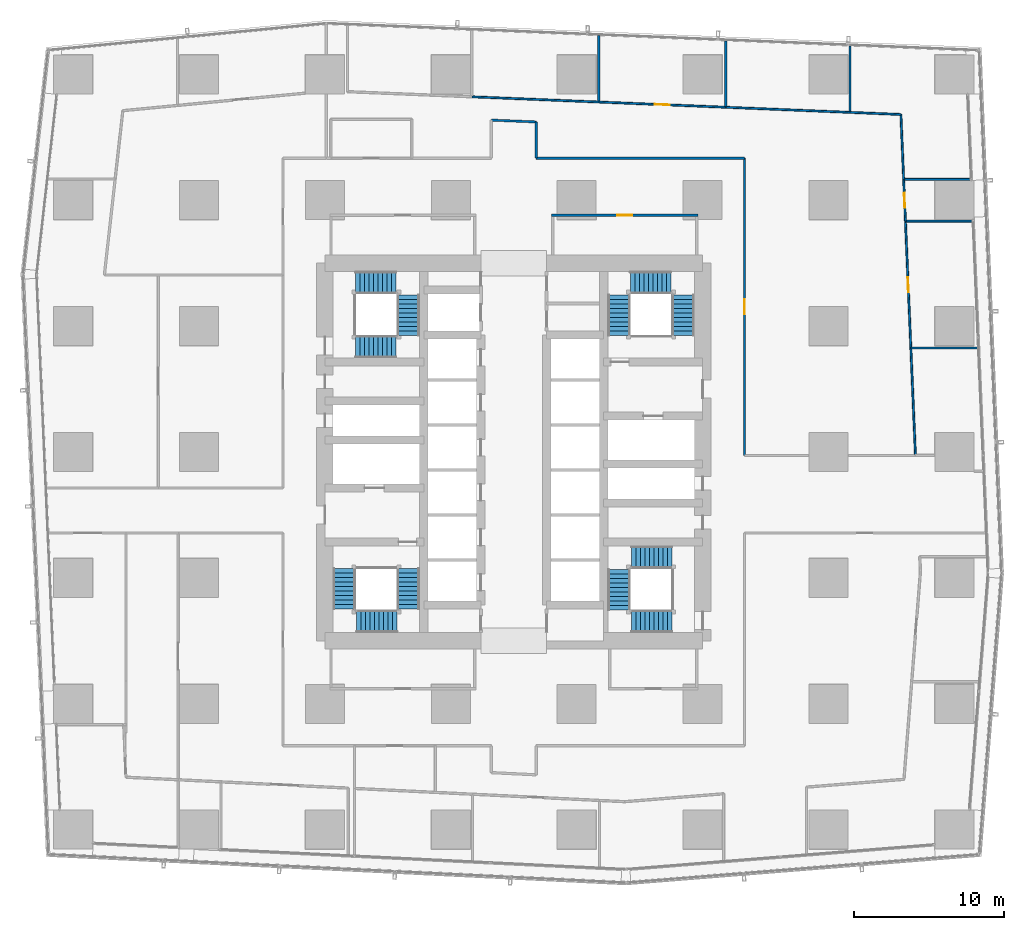
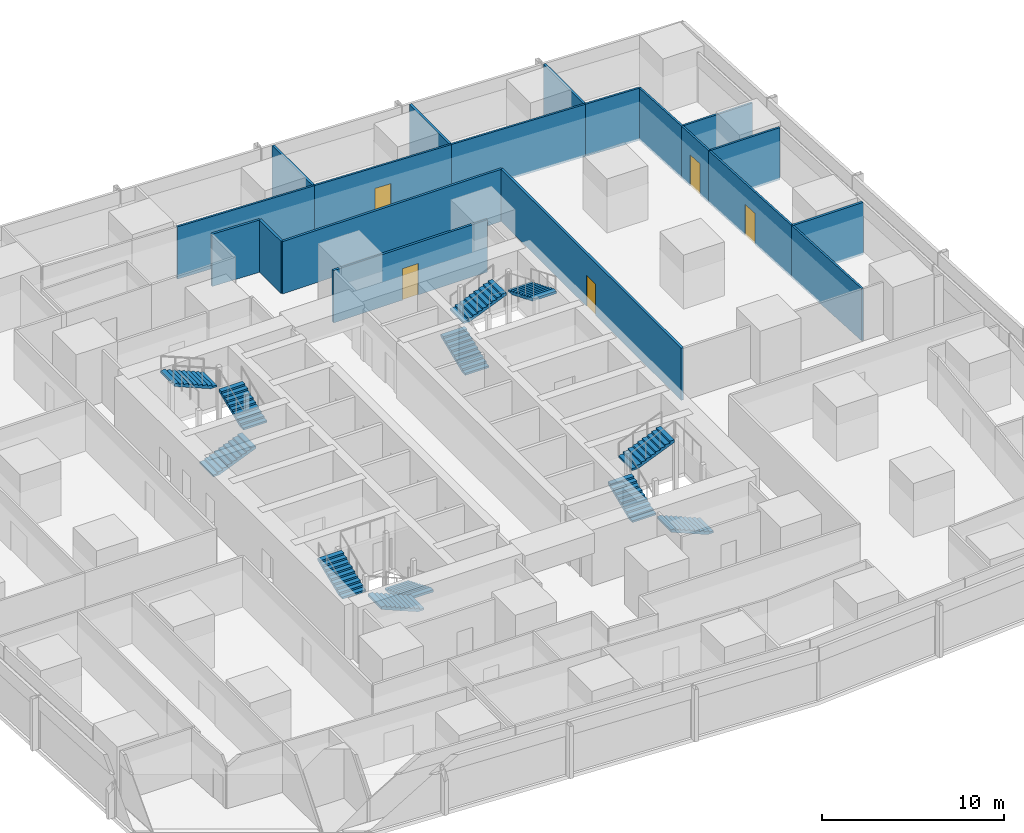
# One storey, part 37 of 46: 19 walls, 12 stair flights, 5 doors, 5 openings, 4 elements without a shape of their own.
"""IFC4 building model written with IfcOpenShell, lengths in metres."""

from ifc_helpers import new_model, si_unit, direction, frame, frame_2d, origin, place, context, subcontext, project, spatial, polyline, rectangle, outline, extrude, material, layer, layer_set, type_object, element, fill, aggregate, save


model = new_model("IFC4")

# Units and contexts
model_context = context("Model", 3, precision=1e-05, world=origin(), true_north=direction((0.0, 1.0)))
body_context = subcontext(model_context, "Body", "Model", "MODEL_VIEW")
ifc_project = project(units=[si_unit("LENGTHUNIT", "METRE"), si_unit("AREAUNIT", "SQUARE_METRE"), si_unit("VOLUMEUNIT", "CUBIC_METRE"), si_unit("PLANEANGLEUNIT", "RADIAN"), si_unit("MASSUNIT", "GRAM", prefix="KILO")], contexts=[model_context])

# Site, building, storey
site_placement = place(None, origin())
site = spatial("IfcSite", under=ifc_project, at=site_placement, CompositionType="ELEMENT")
building_placement = place(site_placement, origin())
building = spatial("IfcBuilding", under=site, at=building_placement, Name="Rekha Terrace Tower", CompositionType="ELEMENT")
storey_placement = place(building_placement, frame((0.0, 0.0, 29.14990234375)))
storey = spatial("IfcBuildingStorey", under=building, at=storey_placement, Name="L06", CompositionType="ELEMENT", Elevation=29.14990234375)

# Wall, opening, door
ifc_material_1 = material(Name="Concrete block masonry, 1 hour", Category="masonry")
ifc_layer_1 = layer(ifc_material_1, 0.14990234375)
ifc_layer_set_1 = layer_set([ifc_layer_1], Name="Concrete block masonry, 1 hour")
wall_type_1 = type_object("IfcWallType", Name="WP2 150 tenancy partition", PredefinedType="PARTITIONING", material=ifc_layer_set_1)
wall_1_placement = place(storey_placement, frame((40.324951171875, 49.39990234375, 0.0), z_axis=(0.0, 0.0, 1.0), x_axis=(1.0, 0.0, 0.0)))
wall_1 = element("IfcWall", 1, at=wall_1_placement, inside=storey, type_object=wall_type_1, Name="Women's WC wall L06", PredefinedType="PARTITIONING", context=body_context, shape_type="SweptSolid", body=[
    extrude(rectangle(XDim=9.75, YDim=0.14990234375, at=frame_2d((4.875, 0.0))), origin(), (0.0, 0.0, 1.0), 3.5),
])
opening_1_placement = place(wall_1_placement, frame((4.375, 0.0, 0.0)))
opening_1 = element("IfcOpeningElement", 2, at=opening_1_placement, cuts=wall_1, Name="Opening D3", PredefinedType="OPENING", context=body_context, shape_type="SweptSolid", body=[
    extrude(rectangle(XDim=1.0, YDim=2.10009765625, at=frame_2d((0.5, 1.050048828125))), frame((0.0, 0.0849609375, 0.0), z_axis=(0.0, -1.0, 0.0), x_axis=(1.0, 0.0, 0.0)), (0.0, 0.0, 1.0), 0.169921875),
])
ifc_material_2 = material(Name="Laminated timber fire door", Category="wood")
door_type_1 = type_object("IfcDoorType", Name="D3 1000x2100 WC door", OperationType="SINGLE_SWING_LEFT", PredefinedType="DOOR", material=ifc_material_2)
door_1_placement = place(opening_1_placement, origin())
door_1 = element("IfcDoor", 3, at=door_1_placement, inside=storey, type_object=door_type_1, Name="Door women's wc L06", OperationType="SINGLE_SWING_LEFT", OverallHeight=2.10009765625, OverallWidth=1.0, PredefinedType="DOOR", context=body_context, shape_type="SweptSolid", body=[
    extrude(rectangle(XDim=1.0, YDim=2.10009765625, at=frame_2d((0.5, 1.050048828125))), frame((0.0, 0.02490234375, 0.0), z_axis=(0.0, -1.0, 0.0), x_axis=(1.0, 0.0, 0.0)), (0.0, 0.0, 1.0), 0.050048828125),
])
fill(opening_1, door_1)

# Walls
wall_2_placement = place(storey_placement, frame((53.199951171875, 53.199951171875, 0.0), z_axis=(0.0, 0.0, 1.0), x_axis=(-1.0, 0.0, 0.0)))
element("IfcWall", 4, at=wall_2_placement, inside=storey, type_object=wall_type_1, Name="Partition L06-O2", PredefinedType="PARTITIONING", context=body_context, shape_type="SweptSolid", body=[
    extrude(rectangle(XDim=13.89990234375, YDim=0.14990234375, at=frame_2d((6.949951171875, 0.0))), origin(), (0.0, 0.0, 1.0), 3.5),
])
wall_3_placement = place(storey_placement, frame((39.300048828125, 53.199951171875, 0.0), z_axis=(0.0, 0.0, 1.0), x_axis=(0.0, 1.0, 0.0)))
element("IfcWall", 5, at=wall_3_placement, inside=storey, type_object=wall_type_1, Name="Partition L06-O2", PredefinedType="PARTITIONING", context=body_context, shape_type="SweptSolid", body=[
    extrude(rectangle(XDim=2.4189453125, YDim=0.14990234375, at=frame_2d((1.20947265625, 0.0))), origin(), (0.0, 0.0, 1.0), 3.5),
])
wall_4_placement = place(storey_placement, frame((39.300048828125, 55.618896484375, 0.0), z_axis=(0.0, 0.0, 1.0), x_axis=(-0.999146548644, 0.041305863176, 0.0)))
element("IfcWall", 6, at=wall_4_placement, inside=storey, type_object=wall_type_1, Name="Partition L06-O2", PredefinedType="PARTITIONING", context=body_context, shape_type="SweptSolid", body=[
    extrude(rectangle(XDim=3.00244140625, YDim=0.14990234375, at=frame_2d((1.501220703125, 0.0))), origin(), (0.0, 0.0, 1.0), 3.5),
])
wall_5_placement = place(storey_placement, frame((43.471923828125, 57.010986328125, 0.0), z_axis=(0.0, 0.0, 1.0), x_axis=(0.0, 1.0, 0.0)))
element("IfcWall", 7, at=wall_5_placement, inside=storey, type_object=wall_type_1, Name="Partition L06-O2", PredefinedType="PARTITIONING", context=body_context, shape_type="SweptSolid", body=[
    extrude(rectangle(XDim=4.361083984375, YDim=0.14990234375, at=frame_2d((2.1806640625, 0.0))), origin(), (0.0, 0.0, 1.0), 3.5),
])
for number, where, z_axis, x_axis, name in (
    (8, (51.945068359375, 56.662109375, 0.0), (0.0, 0.0, 1.0), (0.0, 1.0, 0.0), "Partition L06-O2"),
    (9, (60.238037109375, 56.320068359375, 0.0), (0.0, 0.0, 1.0), (0.0, 1.0, 0.0), "Partition L06-O2"),
):
    element("IfcWall", number, at=place(storey_placement, frame(where, z_axis=z_axis, x_axis=x_axis)), inside=storey, type_object=wall_type_1, Name=name, PredefinedType="PARTITIONING", context=body_context, shape_type="SweptSolid", body=[
        extrude(rectangle(XDim=4.36083984375, YDim=0.14990234375, at=frame_2d((2.180419921875, 0.0))), origin(), (0.0, 0.0, 1.0), 3.5),
    ])
wall_6_placement = place(storey_placement, frame((64.31494140625, 40.535888671875, 0.0), z_axis=(0.0, 0.0, 1.0), x_axis=(1.0, 0.0, 0.0)))
element("IfcWall", 10, at=wall_6_placement, inside=storey, type_object=wall_type_1, Name="Partition L06-O2", PredefinedType="PARTITIONING", context=body_context, shape_type="SweptSolid", body=[
    extrude(rectangle(XDim=4.43115234375, YDim=0.14990234375, at=frame_2d((2.215576171875, 0.0))), origin(), (0.0, 0.0, 1.0), 3.5),
])

# Wall, opening, door
wall_7_placement = place(storey_placement, frame((53.199951171875, 33.3720703125, 0.0), z_axis=(0.0, 0.0, 1.0), x_axis=(0.0, 1.0, 0.0)))
wall_7 = element("IfcWall", 11, at=wall_7_placement, inside=storey, type_object=wall_type_1, Name="Partition L06-O2", PredefinedType="PARTITIONING", context=body_context, shape_type="SweptSolid", body=[
    extrude(rectangle(XDim=19.827880859375, YDim=0.14990234375, at=frame_2d((9.9140625, 0.0))), origin(), (0.0, 0.0, 1.0), 3.5),
])
opening_2_placement = place(wall_7_placement, frame((9.4140625, 0.0, 0.0)))
opening_2 = element("IfcOpeningElement", 12, at=opening_2_placement, cuts=wall_7, Name="Opening D9", PredefinedType="OPENING", context=body_context, shape_type="SweptSolid", body=[
    extrude(rectangle(XDim=1.0, YDim=2.10009765625, at=frame_2d((0.5, 1.050048828125))), frame((0.0, 0.0849609375, 0.0), z_axis=(0.0, -1.0, 0.0), x_axis=(1.0, 0.0, 0.0)), (0.0, 0.0, 1.0), 0.169921875),
])
ifc_material_3 = material(Name="Timber fire door", Category="wood")
door_type_2 = type_object("IfcDoorType", Name="D9 1000x2100 office door", OperationType="SINGLE_SWING_LEFT", PredefinedType="DOOR", material=ifc_material_3)
door_2_placement = place(opening_2_placement, origin())
door_2 = element("IfcDoor", 13, at=door_2_placement, inside=storey, type_object=door_type_2, Name="Door open-plan office L06", OperationType="SINGLE_SWING_LEFT", OverallHeight=2.10009765625, OverallWidth=1.0, PredefinedType="DOOR", context=body_context, shape_type="SweptSolid", body=[
    extrude(rectangle(XDim=1.0, YDim=2.10009765625, at=frame_2d((0.5, 1.050048828125))), frame((0.0, 0.02490234375, 0.0), z_axis=(0.0, -1.0, 0.0), x_axis=(1.0, 0.0, 0.0)), (0.0, 0.0, 1.0), 0.050048828125),
])
fill(opening_2, door_2)

# Walls
ifc_material_4 = material(Name="Two layers of fire-rated gypsum board each side on steel studs, acoustic quilt, 1 hour", Category="steel")
ifc_layer_2 = layer(ifc_material_4, 0.125)
ifc_layer_set_2 = layer_set([ifc_layer_2], Name="Two layers of fire-rated gypsum board each side on steel studs, acoustic quilt, 1 hour")
wall_type_2 = type_object("IfcWallType", Name="WP3 125 office partition", PredefinedType="PARTITIONING", material=ifc_layer_set_2)
wall_8_placement = place(storey_placement, frame((63.930908203125, 49.001953125, 0.0), z_axis=(0.0, 0.0, 1.0), x_axis=(1.0, 0.0, 0.0)))
element("IfcWall", 14, at=wall_8_placement, inside=storey, type_object=wall_type_2, Name="Partition L06-05", PredefinedType="PARTITIONING", context=body_context, shape_type="SweptSolid", body=[
    extrude(rectangle(XDim=4.424072265625, YDim=0.125, at=frame_2d((2.2119140625, 0.0))), origin(), (0.0, 0.0, 1.0), 3.5),
])
wall_9_placement = place(storey_placement, frame((64.597900390625, 33.3720703125, 0.0), z_axis=(0.0, 0.0, 1.0), x_axis=(-0.042668763755, 0.999089273589, 0.0)))
element("IfcWall", 15, at=wall_9_placement, inside=storey, type_object=wall_type_2, Name="Partition L06-05", PredefinedType="PARTITIONING", context=body_context, shape_type="SweptSolid", body=[
    extrude(rectangle(XDim=7.16943359375, YDim=0.125, at=frame_2d((3.584716796875, 0.0))), origin(), (0.0, 0.0, 1.0), 3.5),
])

# Wall, opening, door
wall_10_placement = place(storey_placement, frame((64.2919921875, 40.534912109375, 0.0), z_axis=(0.0, 0.0, 1.0), x_axis=(-0.042607102668, 0.999091905083, 0.0)))
wall_10 = element("IfcWall", 16, at=wall_10_placement, inside=storey, type_object=wall_type_2, Name="Partition L06-05", PredefinedType="PARTITIONING", context=body_context, shape_type="SweptSolid", body=[
    extrude(rectangle(XDim=8.474853515625, YDim=0.125, at=frame_2d((4.2373046875, 0.0))), origin(), (0.0, 0.0, 1.0), 3.5),
])
opening_3_placement = place(wall_10_placement, frame((3.737060546875, 0.0, 0.0)))
opening_3 = element("IfcOpeningElement", 17, at=opening_3_placement, cuts=wall_10, Name="Opening D9", PredefinedType="OPENING", context=body_context, shape_type="SweptSolid", body=[
    extrude(rectangle(XDim=1.0, YDim=2.10009765625, at=frame_2d((0.5, 1.050048828125))), frame((0.0, 0.072509765625, 0.0), z_axis=(0.0, -1.0, 0.0), x_axis=(1.0, 0.0, 0.0)), (0.0, 0.0, 1.0), 0.14501953125),
])
door_3_placement = place(opening_3_placement, origin())
door_3 = element("IfcDoor", 18, at=door_3_placement, inside=storey, type_object=door_type_2, Name="Door office L06", OperationType="SINGLE_SWING_LEFT", OverallHeight=2.10009765625, OverallWidth=1.0, PredefinedType="DOOR", context=body_context, shape_type="SweptSolid", body=[
    extrude(rectangle(XDim=1.0, YDim=2.10009765625, at=frame_2d((0.5, 1.050048828125))), frame((0.0, 0.02490234375, 0.0), z_axis=(0.0, -1.0, 0.0), x_axis=(1.0, 0.0, 0.0)), (0.0, 0.0, 1.0), 0.050048828125),
])
fill(opening_3, door_3)

wall_11_placement = place(storey_placement, frame((63.930908203125, 49.0029296875, 0.0), z_axis=(0.0, 0.0, 1.0), x_axis=(-0.042791308653, 0.999084032454, 0.0)))
wall_11 = element("IfcWall", 19, at=wall_11_placement, inside=storey, type_object=wall_type_2, Name="Partition L06-06", PredefinedType="PARTITIONING", context=body_context, shape_type="SweptSolid", body=[
    extrude(rectangle(XDim=2.755615234375, YDim=0.125, at=frame_2d((1.3779296875, 0.0))), origin(), (0.0, 0.0, 1.0), 3.5),
])
opening_4_placement = place(wall_11_placement, frame((0.8779296875, 0.0, 0.0)))
opening_4 = element("IfcOpeningElement", 20, at=opening_4_placement, cuts=wall_11, Name="Opening D9", PredefinedType="OPENING", context=body_context, shape_type="SweptSolid", body=[
    extrude(rectangle(XDim=1.0, YDim=2.10009765625, at=frame_2d((0.5, 1.050048828125))), frame((0.0, 0.072509765625, 0.0), z_axis=(0.0, -1.0, 0.0), x_axis=(1.0, 0.0, 0.0)), (0.0, 0.0, 1.0), 0.14501953125),
])
door_4_placement = place(opening_4_placement, origin())
door_4 = element("IfcDoor", 21, at=door_4_placement, inside=storey, type_object=door_type_2, Name="Door office L06", OperationType="SINGLE_SWING_LEFT", OverallHeight=2.10009765625, OverallWidth=1.0, PredefinedType="DOOR", context=body_context, shape_type="SweptSolid", body=[
    extrude(rectangle(XDim=1.0, YDim=2.10009765625, at=frame_2d((0.5, 1.050048828125))), frame((0.0, 0.02490234375, 0.0), z_axis=(0.0, -1.0, 0.0), x_axis=(1.0, 0.0, 0.0)), (0.0, 0.0, 1.0), 0.050048828125),
])
fill(opening_4, door_4)

# Walls
wall_12_placement = place(storey_placement, frame((63.8740234375, 51.7919921875, 0.0), z_axis=(0.0, 0.0, 1.0), x_axis=(1.0, 0.0, 0.0)))
element("IfcWall", 22, at=wall_12_placement, inside=storey, type_object=wall_type_2, Name="Partition L06-06", PredefinedType="PARTITIONING", context=body_context, shape_type="SweptSolid", body=[
    extrude(rectangle(XDim=4.361083984375, YDim=0.125, at=frame_2d((2.1806640625, 0.0))), origin(), (0.0, 0.0, 1.0), 3.5),
])
wall_13_placement = place(storey_placement, frame((63.81298828125, 51.757080078125, 0.0), z_axis=(0.0, 0.0, 1.0), x_axis=(-0.042631159687, 0.999090878861, 0.0)))
element("IfcWall", 23, at=wall_13_placement, inside=storey, type_object=wall_type_2, Name="Partition L06-07", PredefinedType="PARTITIONING", context=body_context, shape_type="SweptSolid", body=[
    extrude(rectangle(XDim=4.36376953125, YDim=0.125, at=frame_2d((2.181884765625, 0.0))), origin(), (0.0, 0.0, 1.0), 3.5),
])
wall_14_placement = place(storey_placement, frame((63.626953125, 56.116943359375, 0.0), z_axis=(0.0, 0.0, 1.0), x_axis=(-0.999145138327, 0.041339963195, 0.0)))
element("IfcWall", 24, at=wall_14_placement, inside=storey, type_object=wall_type_2, Name="Partition L06-07", PredefinedType="PARTITIONING", context=body_context, shape_type="SweptSolid", body=[
    extrude(rectangle(XDim=3.389892578125, YDim=0.125, at=frame_2d((1.69482421875, 0.0))), origin(), (0.0, 0.0, 1.0), 3.5),
])
wall_15_placement = place(storey_placement, frame((60.239990234375, 56.257080078125, 0.0), z_axis=(0.0, 0.0, 1.0), x_axis=(-0.999150520973, 0.041209664387, 0.0)))
element("IfcWall", 25, at=wall_15_placement, inside=storey, type_object=wall_type_2, Name="Partition L06-07", PredefinedType="PARTITIONING", context=body_context, shape_type="SweptSolid", body=[
    extrude(rectangle(XDim=8.300048828125, YDim=0.125, at=frame_2d((4.14990234375, 0.0))), origin(), (0.0, 0.0, 1.0), 3.5),
])

# Wall, opening, door
wall_16_placement = place(storey_placement, frame((51.947021484375, 56.59912109375, 0.0), z_axis=(0.0, 0.0, 1.0), x_axis=(-0.999153360444, 0.041140762198, 0.0)))
wall_16 = element("IfcWall", 26, at=wall_16_placement, inside=storey, type_object=wall_type_2, Name="Partition L06-07", PredefinedType="PARTITIONING", context=body_context, shape_type="SweptSolid", body=[
    extrude(rectangle(XDim=8.47998046875, YDim=0.125, at=frame_2d((4.239990234375, 0.0))), origin(), (0.0, 0.0, 1.0), 3.5),
])
opening_5_placement = place(wall_16_placement, frame((3.739990234375, 0.0, 0.0)))
opening_5 = element("IfcOpeningElement", 27, at=opening_5_placement, cuts=wall_16, Name="Opening D9", PredefinedType="OPENING", context=body_context, shape_type="SweptSolid", body=[
    extrude(rectangle(XDim=1.0, YDim=2.10009765625, at=frame_2d((0.5, 1.050048828125))), frame((0.0, 0.072509765625, 0.0), z_axis=(0.0, -1.0, 0.0), x_axis=(1.0, 0.0, 0.0)), (0.0, 0.0, 1.0), 0.14501953125),
])
door_5_placement = place(opening_5_placement, origin())
door_5 = element("IfcDoor", 28, at=door_5_placement, inside=storey, type_object=door_type_2, Name="Door manager's office L06", OperationType="SINGLE_SWING_LEFT", OverallHeight=2.10009765625, OverallWidth=1.0, PredefinedType="DOOR", context=body_context, shape_type="SweptSolid", body=[
    extrude(rectangle(XDim=1.0, YDim=2.10009765625, at=frame_2d((0.5, 1.050048828125))), frame((0.0, 0.02490234375, 0.0), z_axis=(0.0, -1.0, 0.0), x_axis=(1.0, 0.0, 0.0)), (0.0, 0.0, 1.0), 0.050048828125),
])
fill(opening_5, door_5)

# Wall
wall_17_placement = place(storey_placement, frame((43.47412109375, 56.947998046875, 0.0), z_axis=(0.0, 0.0, 1.0), x_axis=(-0.999152030187, 0.041173056399, 0.0)))
element("IfcWall", 29, at=wall_17_placement, inside=storey, type_object=wall_type_2, Name="Partition L06-07", PredefinedType="PARTITIONING", context=body_context, shape_type="SweptSolid", body=[
    extrude(rectangle(XDim=8.479248046875, YDim=0.125, at=frame_2d((4.23974609375, 0.0))), origin(), (0.0, 0.0, 1.0), 3.5),
])

# Stair, stair flights
ifc_material_5 = material(Name="Concrete M40", Category="concrete")
stair_type = type_object("IfcStairType", Name="ST30 stair, 30 risers of 125, going 300, 1500 wide flights, 3 flights", PredefinedType="HALF_TURN_STAIR", material=ifc_material_5)
stair_1_placement = place(storey_placement, origin())
stair_1 = element("IfcStair", 30, at=stair_1_placement, inside=storey, type_object=stair_type, Name="Stair ST1 L06 to L07", PredefinedType="HALF_TURN_STAIR")
stair_flight_type = type_object("IfcStairFlightType", Name="SF10 stair flight, 10 risers of 125, going 300, 1500 wide", PredefinedType="STRAIGHT", material=ifc_material_5)
stair_flight_1_placement = place(storey_placement, frame((30.77490234375, 25.824951171875, 0.0), z_axis=(0.0, 0.0, 1.0), x_axis=(0.0, -1.0, 0.0)))
stair_flight_1 = element("IfcStairFlight", 31, at=stair_flight_1_placement, type_object=stair_flight_type, Name="ST1 flight 1", NumberOfRisers=10, NumberOfTreads=9, PredefinedType="STRAIGHT", RiserHeight=0.125, TreadLength=0.3, context=body_context, shape_type="SweptSolid", body=[
    extrude(outline(polyline([(0.0, 0.0), (0.0, 0.125), (0.300048828125, 0.125), (0.300048828125, 0.25), (0.60009765625, 0.25), (0.60009765625, 0.375), (0.89990234375, 0.375), (0.89990234375, 0.5), (1.199951171875, 0.5), (1.199951171875, 0.625), (1.5, 0.625), (1.5, 0.75), (1.800048828125, 0.75), (1.800048828125, 0.875), (2.10009765625, 0.875), (2.10009765625, 1.0), (2.39990234375, 1.0), (2.39990234375, 1.125), (2.699951171875, 1.125), (2.699951171875, 1.25), (2.699951171875, 0.962646484375), (0.3896484375, 0.0), (0.0, 0.0)])), frame((0.0, 0.75, 0.0), z_axis=(0.0, -1.0, 0.0), x_axis=(1.0, 0.0, 0.0)), (0.0, 0.0, 1.0), 1.5),
])
stair_flight_2_placement = place(storey_placement, frame((30.02490234375, 22.300048828125, 1.25), z_axis=(0.0, 0.0, 1.0), x_axis=(-1.0, 0.0, 0.0)))
stair_flight_2 = element("IfcStairFlight", 32, at=stair_flight_2_placement, type_object=stair_flight_type, Name="ST1 flight 2", NumberOfRisers=10, NumberOfTreads=9, PredefinedType="STRAIGHT", RiserHeight=0.125, TreadLength=0.3, context=body_context, shape_type="SweptSolid", body=[
    extrude(outline(polyline([(0.0, 0.0), (0.0, 0.125), (0.300048828125, 0.125), (0.300048828125, 0.25), (0.60009765625, 0.25), (0.60009765625, 0.375), (0.89990234375, 0.375), (0.89990234375, 0.5), (1.199951171875, 0.5), (1.199951171875, 0.625), (1.5, 0.625), (1.5, 0.75), (1.800048828125, 0.75), (1.800048828125, 0.875), (2.10009765625, 0.875), (2.10009765625, 1.0), (2.39990234375, 1.0), (2.39990234375, 1.125), (2.699951171875, 1.125), (2.699951171875, 1.25), (2.699951171875, 0.962646484375), (0.3896484375, 0.0), (0.0, 0.0)])), frame((0.0, 0.75, 0.0), z_axis=(0.0, -1.0, 0.0), x_axis=(1.0, 0.0, 0.0)), (0.0, 0.0, 1.0), 1.5),
])
stair_flight_3_placement = place(storey_placement, frame((26.5, 23.125, 2.5), z_axis=(0.0, 0.0, 1.0), x_axis=(0.0, 1.0, 0.0)))
stair_flight_3 = element("IfcStairFlight", 33, at=stair_flight_3_placement, type_object=stair_flight_type, Name="ST1 flight 3", NumberOfRisers=10, NumberOfTreads=9, PredefinedType="STRAIGHT", RiserHeight=0.125, TreadLength=0.3, context=body_context, shape_type="SweptSolid", body=[
    extrude(outline(polyline([(0.0, 0.0), (0.0, 0.125), (0.300048828125, 0.125), (0.300048828125, 0.25), (0.60009765625, 0.25), (0.60009765625, 0.375), (0.89990234375, 0.375), (0.89990234375, 0.5), (1.199951171875, 0.5), (1.199951171875, 0.625), (1.5, 0.625), (1.5, 0.75), (1.800048828125, 0.75), (1.800048828125, 0.875), (2.10009765625, 0.875), (2.10009765625, 1.0), (2.39990234375, 1.0), (2.39990234375, 1.125), (2.699951171875, 1.125), (2.699951171875, 1.25), (2.699951171875, 0.962646484375), (0.3896484375, 0.0), (0.0, 0.0)])), frame((0.0, 0.75, 0.0), z_axis=(0.0, -1.0, 0.0), x_axis=(1.0, 0.0, 0.0)), (0.0, 0.0, 1.0), 1.5),
])
aggregate(stair_1, [stair_flight_1, stair_flight_2, stair_flight_3])

stair_2_placement = place(storey_placement, origin())
stair_2 = element("IfcStair", 34, at=stair_2_placement, inside=storey, type_object=stair_type, Name="Stair ST2 L06 to L07", PredefinedType="HALF_TURN_STAIR")
stair_flight_4_placement = place(storey_placement, frame((44.824951171875, 41.375, 0.0), z_axis=(0.0, 0.0, 1.0), x_axis=(0.0, 1.0, 0.0)))
stair_flight_4 = element("IfcStairFlight", 35, at=stair_flight_4_placement, type_object=stair_flight_type, Name="ST2 flight 1", NumberOfRisers=10, NumberOfTreads=9, PredefinedType="STRAIGHT", RiserHeight=0.125, TreadLength=0.3, context=body_context, shape_type="SweptSolid", body=[
    extrude(outline(polyline([(0.0, 0.0), (0.0, 0.125), (0.300048828125, 0.125), (0.300048828125, 0.25), (0.60009765625, 0.25), (0.60009765625, 0.375), (0.89990234375, 0.375), (0.89990234375, 0.5), (1.199951171875, 0.5), (1.199951171875, 0.625), (1.5, 0.625), (1.5, 0.75), (1.800048828125, 0.75), (1.800048828125, 0.875), (2.10009765625, 0.875), (2.10009765625, 1.0), (2.39990234375, 1.0), (2.39990234375, 1.125), (2.699951171875, 1.125), (2.699951171875, 1.25), (2.699951171875, 0.962646484375), (0.3896484375, 0.0), (0.0, 0.0)])), frame((0.0, 0.75, 0.0), z_axis=(0.0, -1.0, 0.0), x_axis=(1.0, 0.0, 0.0)), (0.0, 0.0, 1.0), 1.5),
])
stair_flight_5_placement = place(storey_placement, frame((45.574951171875, 44.89990234375, 1.25), z_axis=(0.0, 0.0, 1.0), x_axis=(1.0, 0.0, 0.0)))
stair_flight_5 = element("IfcStairFlight", 36, at=stair_flight_5_placement, type_object=stair_flight_type, Name="ST2 flight 2", NumberOfRisers=10, NumberOfTreads=9, PredefinedType="STRAIGHT", RiserHeight=0.125, TreadLength=0.3, context=body_context, shape_type="SweptSolid", body=[
    extrude(outline(polyline([(0.0, 0.0), (0.0, 0.125), (0.300048828125, 0.125), (0.300048828125, 0.25), (0.60009765625, 0.25), (0.60009765625, 0.375), (0.89990234375, 0.375), (0.89990234375, 0.5), (1.199951171875, 0.5), (1.199951171875, 0.625), (1.5, 0.625), (1.5, 0.75), (1.800048828125, 0.75), (1.800048828125, 0.875), (2.10009765625, 0.875), (2.10009765625, 1.0), (2.39990234375, 1.0), (2.39990234375, 1.125), (2.699951171875, 1.125), (2.699951171875, 1.25), (2.699951171875, 0.962646484375), (0.3896484375, 0.0), (0.0, 0.0)])), frame((0.0, 0.75, 0.0), z_axis=(0.0, -1.0, 0.0), x_axis=(1.0, 0.0, 0.0)), (0.0, 0.0, 1.0), 1.5),
])
stair_flight_6_placement = place(storey_placement, frame((49.10009765625, 44.074951171875, 2.5), z_axis=(0.0, 0.0, 1.0), x_axis=(0.0, -1.0, 0.0)))
stair_flight_6 = element("IfcStairFlight", 37, at=stair_flight_6_placement, type_object=stair_flight_type, Name="ST2 flight 3", NumberOfRisers=10, NumberOfTreads=9, PredefinedType="STRAIGHT", RiserHeight=0.125, TreadLength=0.3, context=body_context, shape_type="SweptSolid", body=[
    extrude(outline(polyline([(0.0, 0.0), (0.0, 0.125), (0.300048828125, 0.125), (0.300048828125, 0.25), (0.60009765625, 0.25), (0.60009765625, 0.375), (0.89990234375, 0.375), (0.89990234375, 0.5), (1.199951171875, 0.5), (1.199951171875, 0.625), (1.5, 0.625), (1.5, 0.75), (1.800048828125, 0.75), (1.800048828125, 0.875), (2.10009765625, 0.875), (2.10009765625, 1.0), (2.39990234375, 1.0), (2.39990234375, 1.125), (2.699951171875, 1.125), (2.699951171875, 1.25), (2.699951171875, 0.962646484375), (0.3896484375, 0.0), (0.0, 0.0)])), frame((0.0, 0.75, 0.0), z_axis=(0.0, -1.0, 0.0), x_axis=(1.0, 0.0, 0.0)), (0.0, 0.0, 1.0), 1.5),
])
aggregate(stair_2, [stair_flight_4, stair_flight_5, stair_flight_6])

stair_3_placement = place(storey_placement, origin())
stair_3 = element("IfcStair", 38, at=stair_3_placement, inside=storey, type_object=stair_type, Name="Stair ST3 L06 to L07", PredefinedType="HALF_TURN_STAIR")
stair_flight_7_placement = place(storey_placement, frame((48.35009765625, 22.300048828125, 0.0), z_axis=(0.0, 0.0, 1.0), x_axis=(-1.0, 0.0, 0.0)))
stair_flight_7 = element("IfcStairFlight", 39, at=stair_flight_7_placement, type_object=stair_flight_type, Name="ST3 flight 1", NumberOfRisers=10, NumberOfTreads=9, PredefinedType="STRAIGHT", RiserHeight=0.125, TreadLength=0.3, context=body_context, shape_type="SweptSolid", body=[
    extrude(outline(polyline([(0.0, 0.0), (0.0, 0.125), (0.300048828125, 0.125), (0.300048828125, 0.25), (0.60009765625, 0.25), (0.60009765625, 0.375), (0.89990234375, 0.375), (0.89990234375, 0.5), (1.199951171875, 0.5), (1.199951171875, 0.625), (1.5, 0.625), (1.5, 0.75), (1.800048828125, 0.75), (1.800048828125, 0.875), (2.10009765625, 0.875), (2.10009765625, 1.0), (2.39990234375, 1.0), (2.39990234375, 1.125), (2.699951171875, 1.125), (2.699951171875, 1.25), (2.699951171875, 0.962646484375), (0.3896484375, 0.0), (0.0, 0.0)])), frame((0.0, 0.75, 0.0), z_axis=(0.0, -1.0, 0.0), x_axis=(1.0, 0.0, 0.0)), (0.0, 0.0, 1.0), 1.5),
])
stair_flight_8_placement = place(storey_placement, frame((44.824951171875, 23.050048828125, 1.25), z_axis=(0.0, 0.0, 1.0), x_axis=(0.0, 1.0, 0.0)))
stair_flight_8 = element("IfcStairFlight", 40, at=stair_flight_8_placement, type_object=stair_flight_type, Name="ST3 flight 2", NumberOfRisers=10, NumberOfTreads=9, PredefinedType="STRAIGHT", RiserHeight=0.125, TreadLength=0.3, context=body_context, shape_type="SweptSolid", body=[
    extrude(outline(polyline([(0.0, 0.0), (0.0, 0.125), (0.300048828125, 0.125), (0.300048828125, 0.25), (0.60009765625, 0.25), (0.60009765625, 0.375), (0.89990234375, 0.375), (0.89990234375, 0.5), (1.199951171875, 0.5), (1.199951171875, 0.625), (1.5, 0.625), (1.5, 0.75), (1.800048828125, 0.75), (1.800048828125, 0.875), (2.10009765625, 0.875), (2.10009765625, 1.0), (2.39990234375, 1.0), (2.39990234375, 1.125), (2.699951171875, 1.125), (2.699951171875, 1.25), (2.699951171875, 0.962646484375), (0.3896484375, 0.0), (0.0, 0.0)])), frame((0.0, 0.75, 0.0), z_axis=(0.0, -1.0, 0.0), x_axis=(1.0, 0.0, 0.0)), (0.0, 0.0, 1.0), 1.5),
])
stair_flight_9_placement = place(storey_placement, frame((45.64990234375, 26.574951171875, 2.5), z_axis=(0.0, 0.0, 1.0), x_axis=(1.0, 0.0, 0.0)))
stair_flight_9 = element("IfcStairFlight", 41, at=stair_flight_9_placement, type_object=stair_flight_type, Name="ST3 flight 3", NumberOfRisers=10, NumberOfTreads=9, PredefinedType="STRAIGHT", RiserHeight=0.125, TreadLength=0.3, context=body_context, shape_type="SweptSolid", body=[
    extrude(outline(polyline([(0.0, 0.0), (0.0, 0.125), (0.300048828125, 0.125), (0.300048828125, 0.25), (0.60009765625, 0.25), (0.60009765625, 0.375), (0.89990234375, 0.375), (0.89990234375, 0.5), (1.199951171875, 0.5), (1.199951171875, 0.625), (1.5, 0.625), (1.5, 0.75), (1.800048828125, 0.75), (1.800048828125, 0.875), (2.10009765625, 0.875), (2.10009765625, 1.0), (2.39990234375, 1.0), (2.39990234375, 1.125), (2.699951171875, 1.125), (2.699951171875, 1.25), (2.699951171875, 0.962646484375), (0.3896484375, 0.0), (0.0, 0.0)])), frame((0.0, 0.75, 0.0), z_axis=(0.0, -1.0, 0.0), x_axis=(1.0, 0.0, 0.0)), (0.0, 0.0, 1.0), 1.5),
])
aggregate(stair_3, [stair_flight_7, stair_flight_8, stair_flight_9])

stair_4_placement = place(storey_placement, origin())
stair_4 = element("IfcStair", 42, at=stair_4_placement, inside=storey, type_object=stair_type, Name="Stair ST4 L06 to L07", PredefinedType="HALF_TURN_STAIR")
stair_flight_10_placement = place(storey_placement, frame((27.25, 40.625, 0.0), z_axis=(0.0, 0.0, 1.0), x_axis=(1.0, 0.0, 0.0)))
stair_flight_10 = element("IfcStairFlight", 43, at=stair_flight_10_placement, type_object=stair_flight_type, Name="ST4 flight 1", NumberOfRisers=10, NumberOfTreads=9, PredefinedType="STRAIGHT", RiserHeight=0.125, TreadLength=0.3, context=body_context, shape_type="SweptSolid", body=[
    extrude(outline(polyline([(0.0, 0.0), (0.0, 0.125), (0.300048828125, 0.125), (0.300048828125, 0.25), (0.60009765625, 0.25), (0.60009765625, 0.375), (0.89990234375, 0.375), (0.89990234375, 0.5), (1.199951171875, 0.5), (1.199951171875, 0.625), (1.5, 0.625), (1.5, 0.75), (1.800048828125, 0.75), (1.800048828125, 0.875), (2.10009765625, 0.875), (2.10009765625, 1.0), (2.39990234375, 1.0), (2.39990234375, 1.125), (2.699951171875, 1.125), (2.699951171875, 1.25), (2.699951171875, 0.962646484375), (0.3896484375, 0.0), (0.0, 0.0)])), frame((0.0, 0.75, 0.0), z_axis=(0.0, -1.0, 0.0), x_axis=(1.0, 0.0, 0.0)), (0.0, 0.0, 1.0), 1.5),
])
stair_flight_11_placement = place(storey_placement, frame((30.77490234375, 41.375, 1.25), z_axis=(0.0, 0.0, 1.0), x_axis=(0.0, 1.0, 0.0)))
stair_flight_11 = element("IfcStairFlight", 44, at=stair_flight_11_placement, type_object=stair_flight_type, Name="ST4 flight 2", NumberOfRisers=10, NumberOfTreads=9, PredefinedType="STRAIGHT", RiserHeight=0.125, TreadLength=0.3, context=body_context, shape_type="SweptSolid", body=[
    extrude(outline(polyline([(0.0, 0.0), (0.0, 0.125), (0.300048828125, 0.125), (0.300048828125, 0.25), (0.60009765625, 0.25), (0.60009765625, 0.375), (0.89990234375, 0.375), (0.89990234375, 0.5), (1.199951171875, 0.5), (1.199951171875, 0.625), (1.5, 0.625), (1.5, 0.75), (1.800048828125, 0.75), (1.800048828125, 0.875), (2.10009765625, 0.875), (2.10009765625, 1.0), (2.39990234375, 1.0), (2.39990234375, 1.125), (2.699951171875, 1.125), (2.699951171875, 1.25), (2.699951171875, 0.962646484375), (0.3896484375, 0.0), (0.0, 0.0)])), frame((0.0, 0.75, 0.0), z_axis=(0.0, -1.0, 0.0), x_axis=(1.0, 0.0, 0.0)), (0.0, 0.0, 1.0), 1.5),
])
stair_flight_12_placement = place(storey_placement, frame((29.949951171875, 44.89990234375, 2.5), z_axis=(0.0, 0.0, 1.0), x_axis=(-1.0, 0.0, 0.0)))
stair_flight_12 = element("IfcStairFlight", 45, at=stair_flight_12_placement, type_object=stair_flight_type, Name="ST4 flight 3", NumberOfRisers=10, NumberOfTreads=9, PredefinedType="STRAIGHT", RiserHeight=0.125, TreadLength=0.3, context=body_context, shape_type="SweptSolid", body=[
    extrude(outline(polyline([(0.0, 0.0), (0.0, 0.125), (0.300048828125, 0.125), (0.300048828125, 0.25), (0.60009765625, 0.25), (0.60009765625, 0.375), (0.89990234375, 0.375), (0.89990234375, 0.5), (1.199951171875, 0.5), (1.199951171875, 0.625), (1.5, 0.625), (1.5, 0.75), (1.800048828125, 0.75), (1.800048828125, 0.875), (2.10009765625, 0.875), (2.10009765625, 1.0), (2.39990234375, 1.0), (2.39990234375, 1.125), (2.699951171875, 1.125), (2.699951171875, 1.25), (2.699951171875, 0.962646484375), (0.3896484375, 0.0), (0.0, 0.0)])), frame((0.0, 0.75, 0.0), z_axis=(0.0, -1.0, 0.0), x_axis=(1.0, 0.0, 0.0)), (0.0, 0.0, 1.0), 1.5),
])
aggregate(stair_4, [stair_flight_10, stair_flight_11, stair_flight_12])

save(model, "model.ifc")
